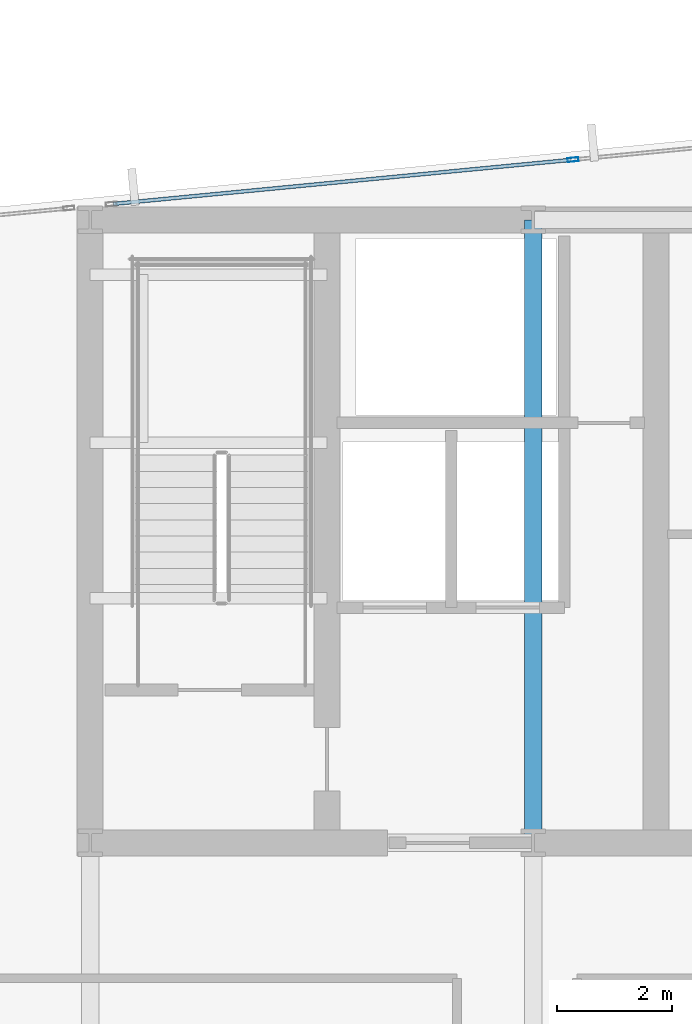
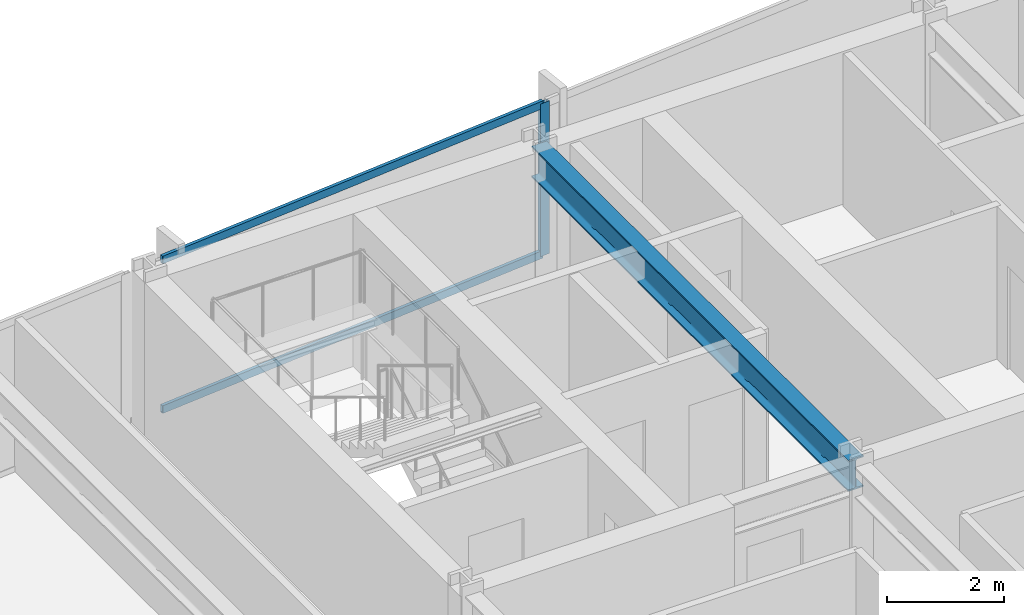
# One storey, part 18 of 32: 3 members, 1 beam, 1 element without a shape of its own.
"""IFC4 building model written with IfcOpenShell, lengths in metres."""

from ifc_helpers import new_model, si_unit, direction, frame, origin, origin_2d, place, context, subcontext, project, spatial, hollow_rectangle, i_section, extrude, material, material_profile, profile_set, type_object, element, aggregate, save


model = new_model("IFC4")

# Units and contexts
model_context = context("Model", 3, precision=1e-05, world=origin(), true_north=direction((0.0, 1.0)))
body_context = subcontext(model_context, "Body", "Model", "MODEL_VIEW")
ifc_project = project(units=[si_unit("LENGTHUNIT", "METRE"), si_unit("AREAUNIT", "SQUARE_METRE"), si_unit("VOLUMEUNIT", "CUBIC_METRE"), si_unit("PLANEANGLEUNIT", "RADIAN"), si_unit("MASSUNIT", "GRAM", prefix="KILO")], contexts=[model_context])

# Site, building, storey
site_placement = place(None, origin())
site = spatial("IfcSite", under=ifc_project, at=site_placement, CompositionType="ELEMENT")
building_placement = place(site_placement, origin())
building = spatial("IfcBuilding", under=site, at=building_placement, Name="Yelkora Congress Tower", CompositionType="ELEMENT")
storey_placement = place(building_placement, frame((0.0, 0.0, 99.89990234375)))
storey = spatial("IfcBuildingStorey", under=building, at=storey_placement, Name="L26", CompositionType="ELEMENT", Elevation=99.89990234375)

# Beam
ifc_material_1 = material(Name="Steel S355J2", Category="steel")
ifc_material_profile_1 = material_profile(ifc_material_1, i_section(OverallWidth=0.300048828125, OverallDepth=0.64990234375, WebThickness=0.01611328125, FlangeThickness=0.031005859375, FilletRadius=0.027099609375, at=origin_2d()), Name="HEB 650")
ifc_profile_set_1 = profile_set([ifc_material_profile_1], Name="Steel S355J2")
beam_type = type_object("IfcBeamType", Name="BM-GIRD-HEB650", PredefinedType="BEAM", material=ifc_profile_set_1)
beam_placement = place(storey_placement, frame((30.719970703125, 35.39990234375, 2.85498046875), z_axis=(0.0, 1.0, 0.0), x_axis=(-1.0, 0.0, 0.0)))
element("IfcBeam", 1, at=beam_placement, inside=storey, type_object=beam_type, Name="L26 Core Tie Girder MC-S2", PredefinedType="BEAM", context=body_context, shape_type="SweptSolid", body=[
    extrude(i_section(OverallWidth=0.300048828125, OverallDepth=0.64990234375, WebThickness=0.01611328125, FlangeThickness=0.031005859375, FilletRadius=0.027099609375, at=origin_2d()), origin(), (0.0, 0.0, 1.0), 10.800048828125),
])

# Curtain wall, members
ifc_material_2 = material(Name="Anodised aluminium and insulated glass", Category="aluminium")
curtain_wall_type = type_object("IfcCurtainWallType", Name="CW-SYS-B2", PredefinedType="NOTDEFINED", material=ifc_material_2)
curtain_wall_placement = place(storey_placement, origin())
curtain_wall = element("IfcCurtainWall", 2, at=curtain_wall_placement, inside=storey, type_object=curtain_wall_type, Name="L26 Unitised Curtain Wall 10 (3)", PredefinedType="NOTDEFINED")
ifc_material_3 = material(Name="Anodised aluminium 6063-T6", Category="aluminium")
ifc_material_profile_2 = material_profile(ifc_material_3, hollow_rectangle(XDim=0.070068359375, YDim=0.18994140625, WallThickness=0.00390625, at=origin_2d()), Name="ALU 70x190x4")
ifc_profile_set_2 = profile_set([ifc_material_profile_2], Name="Anodised aluminium 6063-T6")
member_type_1 = type_object("IfcMemberType", Name="MEM-ML-B2", PredefinedType="MULLION", material=ifc_profile_set_2)
member_1_placement = place(storey_placement, frame((31.411865234375, 47.244140625, 0.0), z_axis=(0.0, 0.0, 1.0), x_axis=(-0.095844238468, 0.995396344153, 0.0)))
member_1 = element("IfcMember", 3, at=member_1_placement, type_object=member_type_1, Name="CW-B2 mullion 2", PredefinedType="MULLION", context=body_context, shape_type="SweptSolid", body=[
    extrude(hollow_rectangle(XDim=0.070068359375, YDim=0.18994140625, WallThickness=0.00390625, at=origin_2d()), origin(), (0.0, 0.0, 1.0), 3.18017578125),
])
ifc_material_profile_3 = material_profile(ifc_material_3, hollow_rectangle(XDim=0.06494140625, YDim=0.159912109375, WallThickness=0.00390625, at=origin_2d()), Name="ALU 65x160x4")
ifc_profile_set_3 = profile_set([ifc_material_profile_3], Name="Anodised aluminium 6063-T6")
member_type_2 = type_object("IfcMemberType", Name="MEM-TR-B2", PredefinedType="USERDEFINED", material=ifc_profile_set_3)
member_2_placement = place(storey_placement, frame((23.441650390625, 46.476806640625, 0.03271484375), z_axis=(0.995398474706, 0.09582210889, 0.0), x_axis=(-0.09582210889, 0.995398474706, 0.0)))
member_2 = element("IfcMember", 4, at=member_2_placement, type_object=member_type_2, Name="CW-B2 transom 1.1", ObjectType="TRANSOM", PredefinedType="USERDEFINED", context=body_context, shape_type="SweptSolid", body=[
    extrude(hollow_rectangle(XDim=0.06494140625, YDim=0.159912109375, WallThickness=0.00390625, at=origin_2d()), origin(), (0.0, 0.0, 1.0), 7.97216796875),
])
member_3_placement = place(storey_placement, frame((23.441650390625, 46.476806640625, 3.147705078125), z_axis=(0.995398474706, 0.09582210889, 0.0), x_axis=(-0.09582210889, 0.995398474706, 0.0)))
member_3 = element("IfcMember", 5, at=member_3_placement, type_object=member_type_2, Name="CW-B2 transom 1.2", ObjectType="TRANSOM", PredefinedType="USERDEFINED", context=body_context, shape_type="SweptSolid", body=[
    extrude(hollow_rectangle(XDim=0.06494140625, YDim=0.159912109375, WallThickness=0.00390625, at=origin_2d()), origin(), (0.0, 0.0, 1.0), 7.97216796875),
])
aggregate(curtain_wall, [member_1, member_2, member_3])

save(model, "model.ifc")
